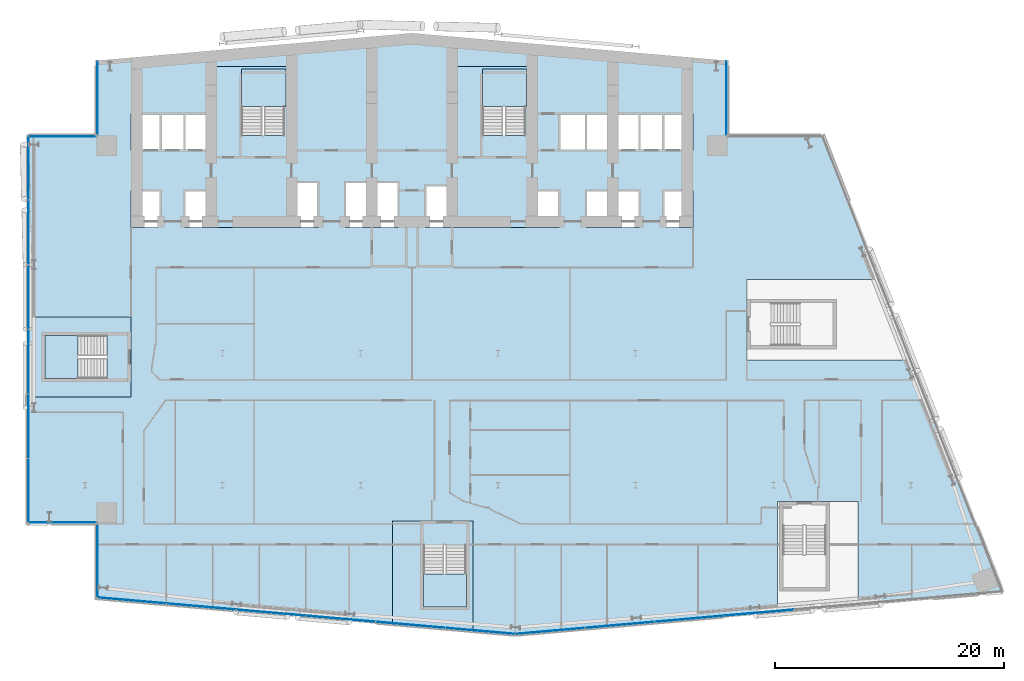
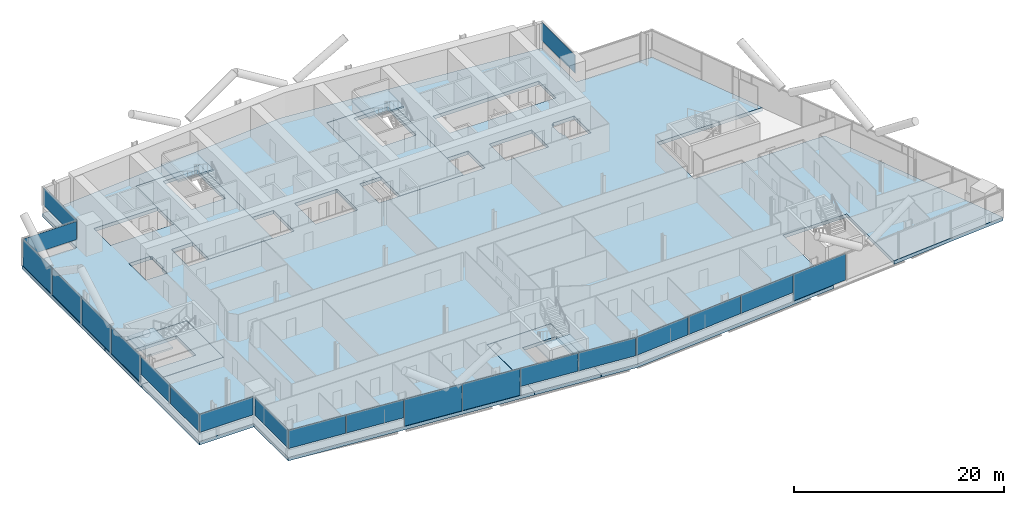
# One storey, part 12 of 28: 21 plates, 9 slabs, 12 elements without a shape of their own.
"""IFC4 building model written with IfcOpenShell, lengths in metres."""

from ifc_helpers import new_model, si_unit, direction, frame, origin, origin_2d, place, context, subcontext, project, spatial, polyline, rectangle, outline, extrude, material, layer, layer_set, type_object, element, aggregate, save


model = new_model("IFC4")

# Units and contexts
model_context = context("Model", 3, precision=1e-05, world=origin(), true_north=direction((0.0, 1.0)))
body_context = subcontext(model_context, "Body", "Model", "MODEL_VIEW")
ifc_project = project(units=[si_unit("LENGTHUNIT", "METRE"), si_unit("AREAUNIT", "SQUARE_METRE"), si_unit("VOLUMEUNIT", "CUBIC_METRE"), si_unit("PLANEANGLEUNIT", "RADIAN"), si_unit("MASSUNIT", "GRAM", prefix="KILO")], contexts=[model_context])

# Site, building, storey
site_placement = place(None, origin())
site = spatial("IfcSite", under=ifc_project, at=site_placement, CompositionType="ELEMENT")
building_placement = place(site_placement, origin())
building = spatial("IfcBuilding", under=site, at=building_placement, Name="Wharfspan Tower", CompositionType="ELEMENT")
storey_placement = place(building_placement, frame((0.0, 0.0, 132.699951)))
storey = spatial("IfcBuildingStorey", under=building, at=storey_placement, Name="L31", CompositionType="ELEMENT", Elevation=132.699951)

# Curtain wall, plates
ifc_material_1 = material(Name="Aluminium 6063-T6", Category="aluminium")
curtain_wall_type_1 = type_object("IfcCurtainWallType", Name="CURTAIN WALL FACETED FRONT", PredefinedType="NOTDEFINED", material=ifc_material_1)
curtain_wall_1_placement = place(storey_placement, origin())
curtain_wall_1 = element("IfcCurtainWall", 1, at=curtain_wall_1_placement, inside=storey, type_object=curtain_wall_type_1, Name="Curtain wall S1", PredefinedType="NOTDEFINED")
ifc_material_2 = material(Name="Glass clear low-iron double glazing", Category="glass")
ifc_layer_1 = layer(ifc_material_2, 0.040039)
ifc_layer_set_1 = layer_set([ifc_layer_1], Name="Glass clear low-iron double glazing")
plate_type_1 = type_object("IfcPlateType", Name="GLASS PANEL FACETED FRONT 40", PredefinedType="CURTAIN_PANEL", material=ifc_layer_set_1)
plate_1_placement = place(storey_placement, frame((16.061768, 1.467529, 1.0), z_axis=(0.0, 0.0, 1.0), x_axis=(0.996198, -0.087156, 0.0)))
plate_1 = element("IfcPlate", 2, at=plate_1_placement, type_object=plate_type_1, Name="Curtain wall S1 panel 1", PredefinedType="CURTAIN_PANEL", context=body_context, shape_type="SweptSolid", body=[
    extrude(rectangle(XDim=6.016602, YDim=0.040039, at=origin_2d()), origin(), (0.0, 0.0, 1.0), 2.120117),
])
plate_2_placement = place(storey_placement, frame((22.130127, 0.936523, 1.0), z_axis=(0.0, 0.0, 1.0), x_axis=(0.996198, -0.087156, 0.0)))
plate_2 = element("IfcPlate", 3, at=plate_2_placement, type_object=plate_type_1, Name="Curtain wall S1 panel 2", PredefinedType="CURTAIN_PANEL", context=body_context, shape_type="SweptSolid", body=[
    extrude(rectangle(XDim=6.046631, YDim=0.040039, at=origin_2d()), origin(), (0.0, 0.0, 1.0), 2.120117),
])
plate_3_placement = place(storey_placement, frame((40.380127, -0.660156, 1.0), z_axis=(0.0, 0.0, 1.0), x_axis=(0.996198, -0.087156, 0.0)))
plate_3 = element("IfcPlate", 4, at=plate_3_placement, type_object=plate_type_1, Name="Curtain wall S1 panel 5", PredefinedType="CURTAIN_PANEL", context=body_context, shape_type="SweptSolid", body=[
    extrude(rectangle(XDim=6.046631, YDim=0.040039, at=origin_2d()), origin(), (0.0, 0.0, 1.0), 2.120117),
])
plate_4_placement = place(storey_placement, frame((46.44873, -1.191162, 1.0), z_axis=(0.0, 0.0, 1.0), x_axis=(0.996198, -0.087156, 0.0)))
plate_4 = element("IfcPlate", 5, at=plate_4_placement, type_object=plate_type_1, Name="Curtain wall S1 panel 6", PredefinedType="CURTAIN_PANEL", context=body_context, shape_type="SweptSolid", body=[
    extrude(rectangle(XDim=6.016602, YDim=0.040039, at=origin_2d()), origin(), (0.0, 0.0, 1.0), 2.120117),
])

curtain_wall_2_placement = place(storey_placement, origin())
curtain_wall_2 = element("IfcCurtainWall", 6, at=curtain_wall_2_placement, inside=storey, type_object=curtain_wall_type_1, Name="Curtain wall S2", PredefinedType="NOTDEFINED")
plate_5_placement = place(storey_placement, frame((52.54541, -1.19165, 1.0), z_axis=(0.0, 0.0, 1.0), x_axis=(0.996198, 0.087156, 0.0)))
plate_5 = element("IfcPlate", 7, at=plate_5_placement, type_object=plate_type_1, Name="Curtain wall S2 panel 1", PredefinedType="CURTAIN_PANEL", context=body_context, shape_type="SweptSolid", body=[
    extrude(rectangle(XDim=6.004639, YDim=0.040039, at=origin_2d()), origin(), (0.0, 0.0, 1.0), 2.120117),
])
plate_6_placement = place(storey_placement, frame((58.601807, -0.661621, 1.0), z_axis=(0.0, 0.0, 1.0), x_axis=(0.996198, 0.087156, 0.0)))
plate_6 = element("IfcPlate", 8, at=plate_6_placement, type_object=plate_type_1, Name="Curtain wall S2 panel 2", PredefinedType="CURTAIN_PANEL", context=body_context, shape_type="SweptSolid", body=[
    extrude(rectangle(XDim=6.034668, YDim=0.040039, at=origin_2d()), origin(), (0.0, 0.0, 1.0), 2.120117),
])
plate_7_placement = place(storey_placement, frame((64.67334, -0.130615, 1.0), z_axis=(0.0, 0.0, 1.0), x_axis=(0.996198, 0.087156, 0.0)))
plate_7 = element("IfcPlate", 9, at=plate_7_placement, type_object=plate_type_1, Name="Curtain wall S2 panel 3", PredefinedType="CURTAIN_PANEL", context=body_context, shape_type="SweptSolid", body=[
    extrude(rectangle(XDim=6.034668, YDim=0.040039, at=origin_2d()), origin(), (0.0, 0.0, 1.0), 2.120117),
])

# Curtain wall, plate
curtain_wall_type_2 = type_object("IfcCurtainWallType", Name="CURTAIN WALL PROW AND END", PredefinedType="NOTDEFINED", material=ifc_material_1)
curtain_wall_3_placement = place(storey_placement, origin())
curtain_wall_3 = element("IfcCurtainWall", 10, at=curtain_wall_3_placement, inside=storey, type_object=curtain_wall_type_2, Name="Curtain wall NRE-V", PredefinedType="NOTDEFINED")
ifc_layer_2 = layer(ifc_material_2, 0.040039)
ifc_layer_set_2 = layer_set([ifc_layer_2], Name="Glass clear low-iron double glazing")
plate_type_2 = type_object("IfcPlateType", Name="GLASS PANEL PROW AND END 40", PredefinedType="CURTAIN_PANEL", material=ifc_layer_set_2)
plate_8_placement = place(storey_placement, frame((67.919922, 45.262451, 1.0), z_axis=(0.0, 0.0, 1.0), x_axis=(0.0, 1.0, 0.0)))
plate_8 = element("IfcPlate", 11, at=plate_8_placement, type_object=plate_type_2, Name="Curtain wall NRE-V panel 1", PredefinedType="CURTAIN_PANEL", context=body_context, shape_type="SweptSolid", body=[
    extrude(rectangle(XDim=6.405029, YDim=0.040039, at=origin_2d()), origin(), (0.0, 0.0, 1.0), 2.120117),
])
aggregate(curtain_wall_3, [plate_8])

curtain_wall_4_placement = place(storey_placement, origin())
curtain_wall_4 = element("IfcCurtainWall", 12, at=curtain_wall_4_placement, inside=storey, type_object=curtain_wall_type_2, Name="Curtain wall NRW-V", PredefinedType="NOTDEFINED")
plate_9_placement = place(storey_placement, frame((13.080078, 45.262451, 1.0), z_axis=(0.0, 0.0, 1.0), x_axis=(0.0, -1.0, 0.0)))
plate_9 = element("IfcPlate", 13, at=plate_9_placement, type_object=plate_type_2, Name="Curtain wall NRW-V panel 1", PredefinedType="CURTAIN_PANEL", context=body_context, shape_type="SweptSolid", body=[
    extrude(rectangle(XDim=6.405029, YDim=0.040039, at=origin_2d()), origin(), (0.0, 0.0, 1.0), 2.120117),
])
aggregate(curtain_wall_4, [plate_9])

curtain_wall_5_placement = place(storey_placement, origin())
curtain_wall_5 = element("IfcCurtainWall", 14, at=curtain_wall_5_placement, inside=storey, type_object=curtain_wall_type_2, Name="Curtain wall NRW-H", PredefinedType="NOTDEFINED")
plate_10_placement = place(storey_placement, frame((10.0, 41.919922, 1.0), z_axis=(0.0, 0.0, 1.0), x_axis=(-1.0, 0.0, 0.0)))
plate_10 = element("IfcPlate", 15, at=plate_10_placement, type_object=plate_type_2, Name="Curtain wall NRW-H panel 1", PredefinedType="CURTAIN_PANEL", context=body_context, shape_type="SweptSolid", body=[
    extrude(rectangle(XDim=5.879883, YDim=0.040039, at=origin_2d()), origin(), (0.0, 0.0, 1.0), 2.120117),
])
aggregate(curtain_wall_5, [plate_10])

# Curtain wall, plates
curtain_wall_6_placement = place(storey_placement, origin())
curtain_wall_6 = element("IfcCurtainWall", 16, at=curtain_wall_6_placement, inside=storey, type_object=curtain_wall_type_2, Name="Curtain wall W", PredefinedType="NOTDEFINED")
plate_11_placement = place(storey_placement, frame((7.080078, 16.649902, 1.0), z_axis=(0.0, 0.0, 1.0), x_axis=(0.0, -1.0, 0.0)))
plate_11 = element("IfcPlate", 17, at=plate_11_placement, type_object=plate_type_2, Name="Curtain wall W panel 5", PredefinedType="CURTAIN_PANEL", context=body_context, shape_type="SweptSolid", body=[
    extrude(rectangle(XDim=5.573242, YDim=0.040039, at=origin_2d()), origin(), (0.0, 0.0, 1.0), 2.120117),
])
plate_12_placement = place(storey_placement, frame((7.080078, 11.031738, 1.0), z_axis=(0.0, 0.0, 1.0), x_axis=(0.0, -1.0, 0.0)))
plate_12 = element("IfcPlate", 18, at=plate_12_placement, type_object=plate_type_2, Name="Curtain wall W panel 6", PredefinedType="CURTAIN_PANEL", context=body_context, shape_type="SweptSolid", body=[
    extrude(rectangle(XDim=5.543213, YDim=0.040039, at=origin_2d()), origin(), (0.0, 0.0, 1.0), 2.120117),
])

# Curtain wall, plate
curtain_wall_7_placement = place(storey_placement, origin())
curtain_wall_7 = element("IfcCurtainWall", 19, at=curtain_wall_7_placement, inside=storey, type_object=curtain_wall_type_2, Name="Curtain wall NFW-H", PredefinedType="NOTDEFINED")
plate_13_placement = place(storey_placement, frame((10.0, 8.280029, 1.0), z_axis=(0.0, 0.0, 1.0), x_axis=(1.0, 0.0, 0.0)))
plate_13 = element("IfcPlate", 20, at=plate_13_placement, type_object=plate_type_2, Name="Curtain wall NFW-H panel 1", PredefinedType="CURTAIN_PANEL", context=body_context, shape_type="SweptSolid", body=[
    extrude(rectangle(XDim=5.879883, YDim=0.040039, at=origin_2d()), origin(), (0.0, 0.0, 1.0), 2.120117),
])
aggregate(curtain_wall_7, [plate_13])

curtain_wall_8_placement = place(storey_placement, origin())
curtain_wall_8 = element("IfcCurtainWall", 21, at=curtain_wall_8_placement, inside=storey, type_object=curtain_wall_type_2, Name="Curtain wall NFW-V", PredefinedType="NOTDEFINED")
plate_14_placement = place(storey_placement, frame((13.080078, 4.9375, 1.0), z_axis=(0.0, 0.0, 1.0), x_axis=(0.0, -1.0, 0.0)))
plate_14 = element("IfcPlate", 22, at=plate_14_placement, type_object=plate_type_2, Name="Curtain wall NFW-V panel 1", PredefinedType="CURTAIN_PANEL", context=body_context, shape_type="SweptSolid", body=[
    extrude(rectangle(XDim=6.405029, YDim=0.040039, at=origin_2d()), origin(), (0.0, 0.0, 1.0), 2.120117),
])
aggregate(curtain_wall_8, [plate_14])

# Plate
ifc_material_3 = material(Name="Aluminium composite opaque insulated panel", Category="aluminium")
ifc_layer_3 = layer(ifc_material_3, 0.040039)
ifc_layer_set_3 = layer_set([ifc_layer_3], Name="Aluminium composite opaque insulated panel")
plate_type_3 = type_object("IfcPlateType", Name="INFILL PANEL FACETED FRONT OPAQUE 40", PredefinedType="SHEET", material=ifc_layer_set_3)
plate_15_placement = place(storey_placement, frame((28.213623, 0.404297, 0.0), z_axis=(0.0, 0.0, 1.0), x_axis=(0.996198, -0.087156, 0.0)))
plate_15 = element("IfcPlate", 23, at=plate_15_placement, type_object=plate_type_3, Name="Curtain wall S1 panel 3", PredefinedType="SHEET", context=body_context, shape_type="SweptSolid", body=[
    extrude(rectangle(XDim=6.046631, YDim=0.040039, at=origin_2d()), origin(), (0.0, 0.0, 1.0), 3.120117),
])

plate_16_placement = place(storey_placement, frame((34.296875, -0.12793, 0.0), z_axis=(0.0, 0.0, 1.0), x_axis=(0.996198, -0.087156, 0.0)))
plate_16 = element("IfcPlate", 24, at=plate_16_placement, type_object=plate_type_3, Name="Curtain wall S1 panel 4", PredefinedType="SHEET", context=body_context, shape_type="SweptSolid", body=[
    extrude(rectangle(XDim=6.046631, YDim=0.040039, at=origin_2d()), origin(), (0.0, 0.0, 1.0), 3.120117),
])

aggregate(curtain_wall_1, [plate_1, plate_2, plate_15, plate_16, plate_3, plate_4])

plate_17_placement = place(storey_placement, frame((70.744873, 0.400635, 0.0), z_axis=(0.0, 0.0, 1.0), x_axis=(0.996198, 0.087156, 0.0)))
plate_17 = element("IfcPlate", 25, at=plate_17_placement, type_object=plate_type_3, Name="Curtain wall S2 panel 4", PredefinedType="SHEET", context=body_context, shape_type="SweptSolid", body=[
    extrude(rectangle(XDim=6.034668, YDim=0.040039, at=origin_2d()), origin(), (0.0, 0.0, 1.0), 3.120117),
])

aggregate(curtain_wall_2, [plate_5, plate_6, plate_7, plate_17])

ifc_layer_4 = layer(ifc_material_3, 0.040039)
ifc_layer_set_4 = layer_set([ifc_layer_4], Name="Aluminium composite opaque insulated panel")
plate_type_4 = type_object("IfcPlateType", Name="INFILL PANEL PROW AND END OPAQUE 40", PredefinedType="SHEET", material=ifc_layer_set_4)
plate_18_placement = place(storey_placement, frame((7.080078, 39.168213, 0.0), z_axis=(0.0, 0.0, 1.0), x_axis=(0.0, -1.0, 0.0)))
plate_18 = element("IfcPlate", 26, at=plate_18_placement, type_object=plate_type_4, Name="Curtain wall W panel 1", PredefinedType="SHEET", context=body_context, shape_type="SweptSolid", body=[
    extrude(rectangle(XDim=5.543213, YDim=0.040039, at=origin_2d()), origin(), (0.0, 0.0, 1.0), 3.120117),
])

plate_19_placement = place(storey_placement, frame((7.080078, 33.550049, 0.0), z_axis=(0.0, 0.0, 1.0), x_axis=(0.0, -1.0, 0.0)))
plate_19 = element("IfcPlate", 27, at=plate_19_placement, type_object=plate_type_4, Name="Curtain wall W panel 2", PredefinedType="SHEET", context=body_context, shape_type="SweptSolid", body=[
    extrude(rectangle(XDim=5.573242, YDim=0.040039, at=origin_2d()), origin(), (0.0, 0.0, 1.0), 3.120117),
])

plate_20_placement = place(storey_placement, frame((7.080078, 27.916748, 0.0), z_axis=(0.0, 0.0, 1.0), x_axis=(0.0, -1.0, 0.0)))
plate_20 = element("IfcPlate", 28, at=plate_20_placement, type_object=plate_type_4, Name="Curtain wall W panel 3", PredefinedType="SHEET", context=body_context, shape_type="SweptSolid", body=[
    extrude(rectangle(XDim=5.573242, YDim=0.040039, at=origin_2d()), origin(), (0.0, 0.0, 1.0), 3.120117),
])

plate_21_placement = place(storey_placement, frame((7.080078, 22.283447, 0.0), z_axis=(0.0, 0.0, 1.0), x_axis=(0.0, -1.0, 0.0)))
plate_21 = element("IfcPlate", 29, at=plate_21_placement, type_object=plate_type_4, Name="Curtain wall W panel 4", PredefinedType="SHEET", context=body_context, shape_type="SweptSolid", body=[
    extrude(rectangle(XDim=5.573242, YDim=0.040039, at=origin_2d()), origin(), (0.0, 0.0, 1.0), 3.120117),
])

aggregate(curtain_wall_6, [plate_18, plate_19, plate_20, plate_21, plate_11, plate_12])

# Slabs
ifc_material_4 = material(Name="Concrete C40/50", Category="concrete")
ifc_layer_5 = layer(ifc_material_4, 0.399902)
ifc_layer_set_5 = layer_set([ifc_layer_5], Name="Concrete C40/50")
slab_type_1 = type_object("IfcSlabType", Name="Post-tensioned flat slab 400", PredefinedType="FLOOR", material=ifc_layer_set_5)
slab_1_placement = place(storey_placement, frame((0.0, 0.0, -0.400146)))
element("IfcSlab", 30, at=slab_1_placement, inside=storey, type_object=slab_type_1, Name="Floor slab L31", PredefinedType="FLOOR", context=body_context, shape_type="SweptSolid", body=[
    extrude(outline(polyline([(38.800293, -0.582275), (38.800293, 8.427002), (45.820312, 8.427002), (45.820312, -1.196289), (49.5, -1.518311), (72.355957, 0.481445), (72.355957, 10.104736), (79.375977, 10.104736), (79.375977, 1.095459), (92.0, 2.199951), (84.04541, 22.439941), (69.68042, 22.439941), (69.68042, 29.459961), (81.286621, 29.459961), (76.358154, 42.0), (68.0, 42.0), (68.0, 48.524902), (40.5, 50.930908), (13.0, 48.524902), (13.0, 42.0), (7.0, 42.0), (7.0, 26.209961), (16.01001, 26.209961), (16.01001, 19.189941), (7.0, 19.189941), (7.0, 8.199951), (13.0, 8.199951), (13.0, 1.675049), (38.800293, -0.582275)]), holes=[polyline([(62.48999, 35.389893), (62.36499, 35.389893), (62.36499, 36.909912), (62.48999, 36.909912), (62.48999, 37.110107), (62.656738, 37.110107), (62.656738, 37.209961), (65.01001, 37.209961), (65.01001, 33.98999), (62.656738, 33.98999), (62.656738, 34.98999), (62.48999, 34.98999), (62.48999, 35.389893)]), polyline([(65.01001, 43.909912), (65.01001, 40.689941), (53.323242, 40.689941), (53.323242, 43.909912), (65.01001, 43.909912)]), polyline([(55.656738, 33.98999), (55.656738, 37.209961), (60.343262, 37.209961), (60.343262, 33.98999), (55.656738, 33.98999)]), polyline([(43.98999, 37.659912), (43.98999, 48.01001), (51.01001, 48.01001), (51.01001, 37.209961), (53.343262, 37.209961), (53.343262, 33.98999), (41.656738, 33.98999), (41.656738, 37.659912), (43.98999, 37.659912)]), polyline([(34.656738, 33.98999), (34.656738, 37.959961), (39.343262, 37.959961), (39.343262, 33.98999), (34.656738, 33.98999)]), polyline([(20.656738, 37.209961), (22.98999, 37.209961), (22.98999, 40.689941), (20.676758, 40.689941), (20.656738, 40.689941), (15.98999, 40.689941), (15.98999, 43.909912), (20.656738, 43.909912), (20.676758, 43.909912), (22.98999, 43.909912), (22.98999, 48.01001), (30.01001, 48.01001), (30.01001, 37.959961), (32.343262, 37.959961), (32.343262, 33.98999), (20.656738, 33.98999), (20.656738, 37.209961)]), polyline([(18.51001, 34.98999), (18.343262, 34.98999), (18.343262, 33.98999), (15.98999, 33.98999), (15.98999, 37.209961), (18.343262, 37.209961), (18.343262, 37.110107), (18.51001, 37.110107), (18.51001, 34.98999)])]), origin(), (0.0, 0.0, 1.0), 0.400146),
])
slab_2_placement = place(storey_placement, frame((0.0, 0.0, -0.400146)))
element("IfcSlab", 31, at=slab_2_placement, inside=storey, type_object=slab_type_1, Name="Core floor slab L31 part 1", PredefinedType="FLOOR", context=body_context, shape_type="SweptSolid", body=[
    extrude(outline(polyline([(16.0, 20.524902), (16.0, 24.875), (16.0, 26.199951), (7.0, 26.199951), (7.0, 19.199951), (16.0, 19.199951), (16.0, 20.524902)]), holes=[polyline([(13.9021, 20.824951), (13.9021, 20.824707), (13.9021, 20.824707), (13.901855, 20.824463), (13.901855, 20.824219), (13.901855, 20.824219), (13.901611, 20.823975), (13.901611, 20.82373), (13.901367, 20.823486), (13.901367, 20.823486), (13.901123, 20.823242), (13.900879, 20.823242), (13.900879, 20.823242), (13.900635, 20.822998), (13.900391, 20.822998), (13.900146, 20.822998), (13.899902, 20.822998), (8.5, 20.822998), (8.499756, 20.822998), (8.499512, 20.822998), (8.499512, 20.822998), (8.499268, 20.823242), (8.499023, 20.823242), (8.498779, 20.823242), (8.498779, 20.823486), (8.498535, 20.823486), (8.498535, 20.82373), (8.498291, 20.823975), (8.498291, 20.824219), (8.498291, 20.824219), (8.498047, 20.824463), (8.498047, 20.824707), (8.498047, 20.824707), (8.498047, 20.824951), (8.498047, 24.574951), (8.498047, 24.575195), (8.498047, 24.575439), (8.498047, 24.575684), (8.498291, 24.575684), (8.498291, 24.575928), (8.498291, 24.576172), (8.498535, 24.576416), (8.498535, 24.576416), (8.498779, 24.576416), (8.498779, 24.57666), (8.499023, 24.576904), (8.499268, 24.576904), (8.499512, 24.576904), (8.499512, 24.576904), (8.499756, 24.576904), (8.5, 24.576904), (13.899902, 24.576904), (13.900146, 24.576904), (13.900391, 24.576904), (13.900635, 24.576904), (13.900879, 24.576904), (13.900879, 24.576904), (13.901123, 24.57666), (13.901367, 24.576416), (13.901367, 24.576416), (13.901611, 24.576416), (13.901611, 24.576172), (13.901855, 24.575928), (13.901855, 24.575684), (13.901855, 24.575684), (13.9021, 24.575439), (13.9021, 24.575195), (13.9021, 24.574951), (13.9021, 20.824951)])]), origin(), (0.0, 0.0, 1.0), 0.400146),
])
slab_3_placement = place(storey_placement, frame((0.0, 0.0, -0.400146)))
element("IfcSlab", 32, at=slab_3_placement, inside=storey, type_object=slab_type_1, Name="Core floor slab L31 part 2", PredefinedType="FLOOR", context=body_context, shape_type="SweptSolid", body=[
    extrude(outline(polyline([(20.664795, 34.0), (20.664795, 37.199951), (20.664795, 37.200195), (20.664795, 37.200439), (20.664795, 37.200684), (20.664795, 37.200684), (20.664795, 37.200928), (20.665039, 37.201172), (20.665039, 37.201416), (20.665283, 37.201416), (20.665283, 37.201416), (20.665527, 37.20166), (20.665771, 37.201904), (20.666016, 37.201904), (20.666016, 37.201904), (20.66626, 37.201904), (20.666504, 37.201904), (20.666748, 37.201904), (23.0, 37.201904), (23.000244, 37.201904), (23.000488, 37.201904), (23.000488, 37.201904), (23.000732, 37.201904), (23.000977, 37.201904), (23.001221, 37.20166), (23.001221, 37.201416), (23.001465, 37.201416), (23.001465, 37.201416), (23.001709, 37.201172), (23.001709, 37.200928), (23.001709, 37.200684), (23.001953, 37.200684), (23.001953, 37.200439), (23.001953, 37.200195), (23.001953, 37.199951), (23.001953, 34.0), (29.998047, 34.0), (29.998047, 37.949951), (29.998047, 37.950195), (29.998047, 37.950439), (29.998047, 37.950684), (29.998291, 37.950684), (29.998291, 37.950928), (29.998291, 37.951172), (29.998535, 37.951416), (29.998535, 37.951416), (29.998779, 37.951416), (29.998779, 37.95166), (29.999023, 37.951904), (29.999268, 37.951904), (29.999512, 37.951904), (29.999512, 37.951904), (29.999756, 37.951904), (30.0, 37.951904), (32.333252, 37.951904), (32.333496, 37.951904), (32.33374, 37.951904), (32.333984, 37.951904), (32.333984, 37.951904), (32.334229, 37.951904), (32.334473, 37.95166), (32.334717, 37.951416), (32.334717, 37.951416), (32.334961, 37.951416), (32.334961, 37.951172), (32.335205, 37.950928), (32.335205, 37.950684), (32.335205, 37.950684), (32.335205, 37.950439), (32.335205, 37.950195), (32.335205, 37.949951), (32.335205, 34.0), (32.341309, 34.0), (32.341309, 37.958008), (30.01001, 37.958008), (30.009766, 37.958008), (30.009521, 37.958008), (30.009521, 37.958008), (30.009277, 37.958252), (30.009033, 37.958252), (30.008789, 37.958252), (30.008789, 37.958496), (30.008545, 37.958496), (30.008545, 37.95874), (30.008301, 37.958984), (30.008301, 37.958984), (30.008301, 37.959229), (30.008057, 37.959473), (30.008057, 37.959717), (30.008057, 37.959717), (30.008057, 37.959961), (30.008057, 48.008057), (22.991943, 48.008057), (22.991943, 43.909912), (22.991943, 43.909912), (22.991943, 43.909668), (22.991943, 43.909424), (22.991699, 43.90918), (22.991699, 43.90918), (22.991699, 43.908936), (22.991455, 43.908691), (22.991455, 43.908691), (22.991211, 43.908447), (22.991211, 43.908203), (22.990967, 43.908203), (22.990723, 43.908203), (22.990479, 43.908203), (22.990479, 43.907959), (22.990234, 43.907959), (22.98999, 43.907959), (16.0, 43.907959), (16.0, 43.9021), (20.666748, 43.9021), (20.666748, 43.9021), (23.0, 43.9021), (23.000244, 43.9021), (23.000488, 43.9021), (23.000488, 43.901855), (23.000732, 43.901855), (23.000977, 43.901855), (23.001221, 43.901611), (23.001221, 43.901611), (23.001465, 43.901367), (23.001465, 43.901367), (23.001709, 43.901123), (23.001709, 43.900879), (23.001709, 43.900879), (23.001953, 43.900635), (23.001953, 43.900391), (23.001953, 43.900146), (23.001953, 43.899902), (23.001953, 40.699951), (23.001953, 40.699707), (23.001953, 40.699707), (23.001953, 40.699463), (23.001709, 40.699219), (23.001709, 40.699219), (23.001709, 40.698975), (23.001465, 40.69873), (23.001465, 40.698486), (23.001221, 40.698486), (23.001221, 40.698242), (23.000977, 40.698242), (23.000732, 40.698242), (23.000488, 40.697998), (23.000488, 40.697998), (23.000244, 40.697998), (23.0, 40.697998), (20.666748, 40.697998), (20.666748, 40.697998), (16.0, 40.697998), (16.0, 40.691895), (22.98999, 40.691895), (22.990234, 40.691895), (22.990479, 40.691895), (22.990479, 40.691895), (22.990723, 40.691895), (22.990967, 40.691895), (22.991211, 40.69165), (22.991211, 40.691406), (22.991455, 40.691406), (22.991455, 40.691406), (22.991699, 40.691162), (22.991699, 40.690918), (22.991699, 40.690918), (22.991943, 40.690674), (22.991943, 40.69043), (22.991943, 40.690186), (22.991943, 40.689941), (22.991943, 37.209961), (22.991943, 37.209717), (22.991943, 37.209717), (22.991943, 37.209473), (22.991699, 37.209229), (22.991699, 37.208984), (22.991699, 37.208984), (22.991455, 37.20874), (22.991455, 37.208496), (22.991211, 37.208496), (22.991211, 37.208252), (22.990967, 37.208252), (22.990723, 37.208252), (22.990479, 37.208008), (22.990479, 37.208008), (22.990234, 37.208008), (22.98999, 37.208008), (20.658691, 37.208008), (20.658691, 34.0), (20.664795, 34.0)]), holes=[polyline([(25.649902, 41.998047), (25.649902, 41.998047), (25.649658, 41.998047), (25.649414, 41.998047), (25.64917, 41.998291), (25.64917, 41.998291), (25.648926, 41.998291), (25.648682, 41.998535), (25.648682, 41.998535), (25.648438, 41.998779), (25.648193, 41.998779), (25.648193, 41.999023), (25.648193, 41.999268), (25.648193, 41.999512), (25.647949, 41.999512), (25.647949, 41.999756), (25.647949, 42.0), (25.647949, 47.399902), (25.647949, 47.400146), (25.647949, 47.400391), (25.648193, 47.400635), (25.648193, 47.400879), (25.648193, 47.400879), (25.648193, 47.401123), (25.648438, 47.401367), (25.648682, 47.401367), (25.648682, 47.401611), (25.648926, 47.401611), (25.64917, 47.401855), (25.64917, 47.401855), (25.649414, 47.401855), (25.649658, 47.4021), (25.649902, 47.4021), (25.649902, 47.4021), (29.399902, 47.4021), (29.400146, 47.4021), (29.400391, 47.4021), (29.400635, 47.401855), (29.400879, 47.401855), (29.400879, 47.401855), (29.401123, 47.401611), (29.401367, 47.401611), (29.401367, 47.401367), (29.401611, 47.401367), (29.401611, 47.401123), (29.401855, 47.400879), (29.401855, 47.400879), (29.401855, 47.400635), (29.4021, 47.400391), (29.4021, 47.400146), (29.4021, 47.399902), (29.4021, 42.0), (29.4021, 41.999756), (29.4021, 41.999512), (29.401855, 41.999512), (29.401855, 41.999268), (29.401855, 41.999023), (29.401611, 41.998779), (29.401611, 41.998779), (29.401367, 41.998535), (29.401367, 41.998535), (29.401123, 41.998291), (29.400879, 41.998291), (29.400879, 41.998291), (29.400635, 41.998047), (29.400391, 41.998047), (29.400146, 41.998047), (29.399902, 41.998047), (25.649902, 41.998047)])]), origin(), (0.0, 0.0, 1.0), 0.400146),
])
slab_4_placement = place(storey_placement, frame((0.0, 0.0, -0.400146)))
element("IfcSlab", 33, at=slab_4_placement, inside=storey, type_object=slab_type_1, Name="Core floor slab L31 part 3", PredefinedType="FLOOR", context=body_context, shape_type="SweptSolid", body=[
    extrude(outline(polyline([(45.5354, 8.416992), (41.185303, 8.416992), (38.810303, 8.416992), (38.810303, -0.583008), (45.810303, -1.195557), (45.810303, 8.416992), (45.5354, 8.416992)]), holes=[polyline([(41.483398, 6.316895), (41.483398, 6.317139), (41.483398, 6.317383), (41.483398, 6.317383), (41.483398, 6.317627), (41.483398, 6.317871), (41.483643, 6.318115), (41.483643, 6.318115), (41.483887, 6.318359), (41.483887, 6.318604), (41.484131, 6.318604), (41.484375, 6.318604), (41.484619, 6.318848), (41.484619, 6.318848), (41.484863, 6.318848), (41.485107, 6.319092), (41.485352, 6.319092), (45.235352, 6.319092), (45.235596, 6.319092), (45.235596, 6.318848), (45.23584, 6.318848), (45.236084, 6.318848), (45.236084, 6.318604), (45.236328, 6.318604), (45.236572, 6.318604), (45.236816, 6.318359), (45.236816, 6.318115), (45.236816, 6.318115), (45.237061, 6.317871), (45.237061, 6.317627), (45.237305, 6.317383), (45.237305, 6.317383), (45.237305, 6.317139), (45.237305, 6.316895), (45.237305, 0.916992), (45.237305, 0.916748), (45.237305, 0.916504), (45.237305, 0.916504), (45.237061, 0.91626), (45.237061, 0.916016), (45.236816, 0.916016), (45.236816, 0.915771), (45.236816, 0.915527), (45.236572, 0.915283), (45.236328, 0.915283), (45.236084, 0.915283), (45.236084, 0.915039), (45.23584, 0.915039), (45.235596, 0.915039), (45.235596, 0.915039), (45.235352, 0.915039), (41.485352, 0.915039), (41.485107, 0.915039), (41.484863, 0.915039), (41.484619, 0.915039), (41.484619, 0.915039), (41.484375, 0.915283), (41.484131, 0.915283), (41.483887, 0.915283), (41.483887, 0.915527), (41.483643, 0.915771), (41.483643, 0.916016), (41.483398, 0.916016), (41.483398, 0.91626), (41.483398, 0.916504), (41.483398, 0.916504), (41.483398, 0.916748), (41.483398, 0.916992), (41.483398, 6.316895)])]), origin(), (0.0, 0.0, 1.0), 0.400146),
])
slab_5_placement = place(storey_placement, frame((0.0, 0.0, -0.400146)))
element("IfcSlab", 34, at=slab_5_placement, inside=storey, type_object=slab_type_1, Name="Core floor slab L31 part 4", PredefinedType="FLOOR", context=body_context, shape_type="SweptSolid", body=[
    extrude(outline(polyline([(53.341309, 34.0), (53.341309, 37.208008), (51.01001, 37.208008), (51.009766, 37.208008), (51.009521, 37.208008), (51.009521, 37.208008), (51.009277, 37.208252), (51.009033, 37.208252), (51.008789, 37.208252), (51.008789, 37.208496), (51.008545, 37.208496), (51.008545, 37.20874), (51.008301, 37.208984), (51.008301, 37.208984), (51.008301, 37.209229), (51.008057, 37.209473), (51.008057, 37.209717), (51.008057, 37.209717), (51.008057, 37.209961), (51.008057, 48.008057), (43.991943, 48.008057), (43.991943, 37.659912), (43.991943, 37.659912), (43.991943, 37.659668), (43.991943, 37.659424), (43.991699, 37.65918), (43.991699, 37.65918), (43.991699, 37.658936), (43.991455, 37.658691), (43.991455, 37.658691), (43.991211, 37.658447), (43.991211, 37.658203), (43.990967, 37.658203), (43.990723, 37.658203), (43.990479, 37.658203), (43.990479, 37.657959), (43.990234, 37.657959), (43.98999, 37.657959), (41.658691, 37.657959), (41.658691, 34.0), (41.664795, 34.0), (41.664795, 37.649902), (41.664795, 37.650146), (41.664795, 37.650391), (41.664795, 37.650635), (41.664795, 37.650879), (41.664795, 37.650879), (41.665039, 37.651123), (41.665039, 37.651367), (41.665283, 37.651367), (41.665283, 37.651611), (41.665527, 37.651611), (41.665771, 37.651855), (41.666016, 37.651855), (41.666016, 37.651855), (41.66626, 37.6521), (41.666504, 37.6521), (41.666748, 37.6521), (44.0, 37.6521), (44.000244, 37.6521), (44.000488, 37.6521), (44.000488, 37.651855), (44.000732, 37.651855), (44.000977, 37.651855), (44.001221, 37.651611), (44.001221, 37.651611), (44.001465, 37.651367), (44.001465, 37.651367), (44.001709, 37.651123), (44.001709, 37.650879), (44.001709, 37.650879), (44.001953, 37.650635), (44.001953, 37.650391), (44.001953, 37.650146), (44.001953, 37.649902), (44.001953, 34.0), (50.998047, 34.0), (50.998047, 37.199951), (50.998047, 37.200195), (50.998047, 37.200439), (50.998047, 37.200684), (50.998291, 37.200684), (50.998291, 37.200928), (50.998291, 37.201172), (50.998535, 37.201416), (50.998535, 37.201416), (50.998779, 37.201416), (50.998779, 37.20166), (50.999023, 37.201904), (50.999268, 37.201904), (50.999512, 37.201904), (50.999512, 37.201904), (50.999756, 37.201904), (51.0, 37.201904), (53.333252, 37.201904), (53.333496, 37.201904), (53.33374, 37.201904), (53.333984, 37.201904), (53.333984, 37.201904), (53.334229, 37.201904), (53.334473, 37.20166), (53.334717, 37.201416), (53.334717, 37.201416), (53.334961, 37.201416), (53.334961, 37.201172), (53.335205, 37.200928), (53.335205, 37.200684), (53.335205, 37.200684), (53.335205, 37.200439), (53.335205, 37.200195), (53.335205, 37.199951), (53.335205, 34.0), (53.341309, 34.0)]), holes=[polyline([(50.4021, 42.0), (50.4021, 41.999756), (50.4021, 41.999512), (50.401855, 41.999512), (50.401855, 41.999268), (50.401855, 41.999023), (50.401611, 41.998779), (50.401611, 41.998779), (50.401367, 41.998535), (50.401367, 41.998535), (50.401123, 41.998291), (50.400879, 41.998291), (50.400879, 41.998291), (50.400635, 41.998047), (50.400391, 41.998047), (50.400146, 41.998047), (50.399902, 41.998047), (46.649902, 41.998047), (46.649902, 41.998047), (46.649658, 41.998047), (46.649414, 41.998047), (46.64917, 41.998291), (46.64917, 41.998291), (46.648926, 41.998291), (46.648682, 41.998535), (46.648682, 41.998535), (46.648438, 41.998779), (46.648193, 41.998779), (46.648193, 41.999023), (46.648193, 41.999268), (46.648193, 41.999512), (46.647949, 41.999512), (46.647949, 41.999756), (46.647949, 42.0), (46.647949, 47.399902), (46.647949, 47.400146), (46.647949, 47.400391), (46.648193, 47.400635), (46.648193, 47.400879), (46.648193, 47.400879), (46.648193, 47.401123), (46.648438, 47.401367), (46.648682, 47.401367), (46.648682, 47.401611), (46.648926, 47.401611), (46.64917, 47.401855), (46.64917, 47.401855), (46.649414, 47.401855), (46.649658, 47.4021), (46.649902, 47.4021), (46.649902, 47.4021), (50.399902, 47.4021), (50.400146, 47.4021), (50.400391, 47.4021), (50.400635, 47.401855), (50.400879, 47.401855), (50.400879, 47.401855), (50.401123, 47.401611), (50.401367, 47.401611), (50.401367, 47.401367), (50.401611, 47.401367), (50.401611, 47.401123), (50.401855, 47.400879), (50.401855, 47.400879), (50.401855, 47.400635), (50.4021, 47.400391), (50.4021, 47.400146), (50.4021, 47.399902), (50.4021, 42.0)])]), origin(), (0.0, 0.0, 1.0), 0.400146),
])

# Stair, slab
stair_type = type_object("IfcStairType", Name="Half-turn stair 20 risers 180 mm", PredefinedType="HALF_TURN_STAIR", material=ifc_material_4)
stair_1_placement = place(storey_placement, origin())
stair_1 = element("IfcStair", 35, at=stair_1_placement, inside=storey, type_object=stair_type, Name="L31 stair ST1", PredefinedType="HALF_TURN_STAIR")
ifc_layer_6 = layer(ifc_material_4, 0.199951)
ifc_layer_set_6 = layer_set([ifc_layer_6], Name="Concrete C40/50")
slab_type_2 = type_object("IfcSlabType", Name="Stair landing 200", PredefinedType="LANDING", material=ifc_layer_set_6)
slab_6_placement = place(storey_placement, frame((0.0, 0.0, 1.599854)))
slab_6 = element("IfcSlab", 36, at=slab_6_placement, type_object=slab_type_2, Name="ST1 landing 1", PredefinedType="LANDING", context=body_context, shape_type="SweptSolid", body=[
    extrude(outline(polyline([(25.649902, 44.52002), (29.5, 44.52002), (29.5, 47.783691), (25.649902, 47.783691), (25.649902, 44.52002)])), origin(), (0.0, 0.0, 1.0), 0.200195),
])
aggregate(stair_1, [slab_6])

stair_2_placement = place(storey_placement, origin())
stair_2 = element("IfcStair", 37, at=stair_2_placement, inside=storey, type_object=stair_type, Name="L31 stair ST2", PredefinedType="HALF_TURN_STAIR")
slab_7_placement = place(storey_placement, frame((0.0, 0.0, 1.599854)))
slab_7 = element("IfcSlab", 38, at=slab_7_placement, type_object=slab_type_2, Name="ST2 landing 1", PredefinedType="LANDING", context=body_context, shape_type="SweptSolid", body=[
    extrude(outline(polyline([(46.649902, 44.52002), (50.5, 44.52002), (50.5, 47.783691), (46.649902, 47.783691), (46.649902, 44.52002)])), origin(), (0.0, 0.0, 1.0), 0.200195),
])
aggregate(stair_2, [slab_7])

stair_3_placement = place(storey_placement, origin())
stair_3 = element("IfcStair", 39, at=stair_3_placement, inside=storey, type_object=stair_type, Name="L31 stair ST3", PredefinedType="HALF_TURN_STAIR")
slab_8_placement = place(storey_placement, frame((0.0, 0.0, 1.599854)))
slab_8 = element("IfcSlab", 40, at=slab_8_placement, type_object=slab_type_2, Name="ST3 landing 1", PredefinedType="LANDING", context=body_context, shape_type="SweptSolid", body=[
    extrude(outline(polyline([(11.379883, 24.574951), (8.5, 24.574951), (8.5, 20.824951), (11.379883, 20.824951), (11.379883, 24.574951)])), origin(), (0.0, 0.0, 1.0), 0.200195),
])
aggregate(stair_3, [slab_8])

stair_4_placement = place(storey_placement, origin())
stair_4 = element("IfcStair", 41, at=stair_4_placement, inside=storey, type_object=stair_type, Name="L31 stair ST4", PredefinedType="HALF_TURN_STAIR")
slab_9_placement = place(storey_placement, frame((0.0, 0.0, 1.599854)))
slab_9 = element("IfcSlab", 42, at=slab_9_placement, type_object=slab_type_2, Name="ST4 landing 1", PredefinedType="LANDING", context=body_context, shape_type="SweptSolid", body=[
    extrude(outline(polyline([(41.485352, 3.796875), (41.485352, 0.916992), (45.235352, 0.916992), (45.235352, 3.796875), (41.485352, 3.796875)])), origin(), (0.0, 0.0, 1.0), 0.200195),
])
aggregate(stair_4, [slab_9])

save(model, "model.ifc")
